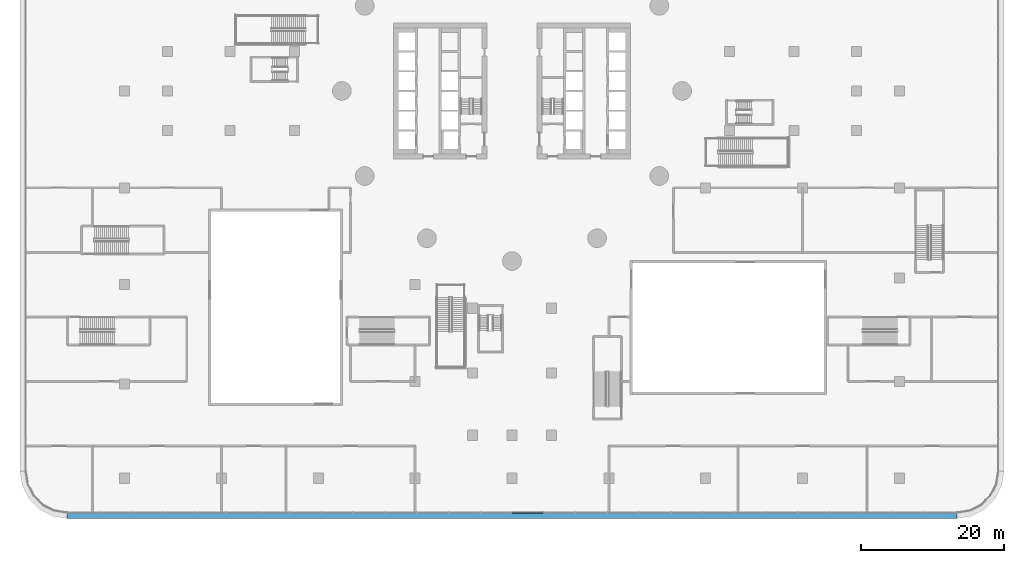
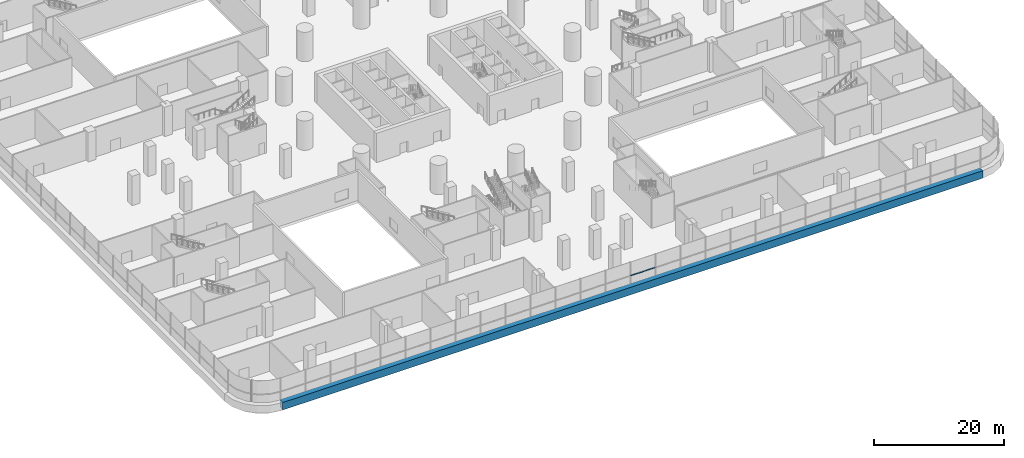
# One storey, part 9 of 52: 2 members, 1 element without a shape of its own.
"""IFC4 building model written with IfcOpenShell, lengths in metres."""

from ifc_helpers import new_model, si_unit, direction, frame, origin, place, context, subcontext, project, spatial, polyline, outline, extrude, material, layer, layer_set, type_object, element, aggregate, save


model = new_model("IFC4")

# Units and contexts
model_context = context("Model", 3, precision=1e-05, world=origin(), true_north=direction((0.0, 1.0)))
body_context = subcontext(model_context, "Body", "Model", "MODEL_VIEW")
ifc_project = project(units=[si_unit("LENGTHUNIT", "METRE"), si_unit("AREAUNIT", "SQUARE_METRE"), si_unit("VOLUMEUNIT", "CUBIC_METRE"), si_unit("PLANEANGLEUNIT", "RADIAN"), si_unit("MASSUNIT", "GRAM", prefix="KILO")], contexts=[model_context])

# Site, building, storey
site_placement = place(None, origin())
site = spatial("IfcSite", under=ifc_project, at=site_placement, CompositionType="ELEMENT")
building_placement = place(site_placement, origin())
building = spatial("IfcBuilding", under=site, at=building_placement, Name="Tamarind Cross Interchange Tower", CompositionType="ELEMENT")
storey_placement = place(building_placement, frame((0.0, 0.0, 9.0)))
storey = spatial("IfcBuildingStorey", under=building, at=storey_placement, Name="L01", CompositionType="ELEMENT", Elevation=9.0)

# Curtain wall, members
ifc_material_1 = material(Name="Aluminium 6063-T6", Category="aluminium")
ifc_layer = layer(ifc_material_1, 0.199951171875)
ifc_layer_set = layer_set([ifc_layer], Name="Aluminium 6063-T6")
curtain_wall_type = type_object("IfcCurtainWallType", Name="Podium shopfront and station curtain wall", PredefinedType="NOTDEFINED", material=ifc_layer_set)
curtain_wall_placement = place(storey_placement, origin())
curtain_wall = element("IfcCurtainWall", 1, at=curtain_wall_placement, inside=storey, type_object=curtain_wall_type, Name="CWS-L01-06", PredefinedType="NOTDEFINED")
ifc_material_2 = material(Name="Aluminium and insulated spandrel panel", Category="aluminium")
member_type_1 = type_object("IfcMemberType", Name="Floor-edge blade transom", PredefinedType="USERDEFINED", material=ifc_material_2)
member_1_placement = place(storey_placement, origin())
member_1 = element("IfcMember", 2, at=member_1_placement, type_object=member_type_1, Name="CWT-L01-06", ObjectType="TRANSOM", PredefinedType="USERDEFINED", context=body_context, shape_type="SweptSolid", body=[
    extrude(outline(polyline([(-61.976318359375, -58.699951171875), (61.976318359375, -58.699951171875), (62.047119140625, -59.60009765625), (-62.047119140625, -59.60009765625), (-61.976318359375, -58.699951171875)])), origin(), (0.0, 0.0, 1.0), 1.39990234375),
])
member_type_2 = type_object("IfcMemberType", Name="Podium intermediate transom", PredefinedType="USERDEFINED", material=ifc_material_1)
member_2_placement = place(storey_placement, frame((0.0, 0.0, 2.969970703125)))
member_2 = element("IfcMember", 3, at=member_2_placement, type_object=member_type_2, Name="CWT-L01-06-I0-14", ObjectType="TRANSOM", PredefinedType="USERDEFINED", context=body_context, shape_type="SweptSolid", body=[
    extrude(outline(polyline([(0.0400390625, -58.699951171875), (4.387451171875, -58.699951171875), (4.387451171875, -58.89990234375), (0.0400390625, -58.89990234375), (0.0400390625, -58.699951171875)])), origin(), (0.0, 0.0, 1.0), 0.06005859375),
])
aggregate(curtain_wall, [member_2, member_1])

save(model, "model.ifc")
